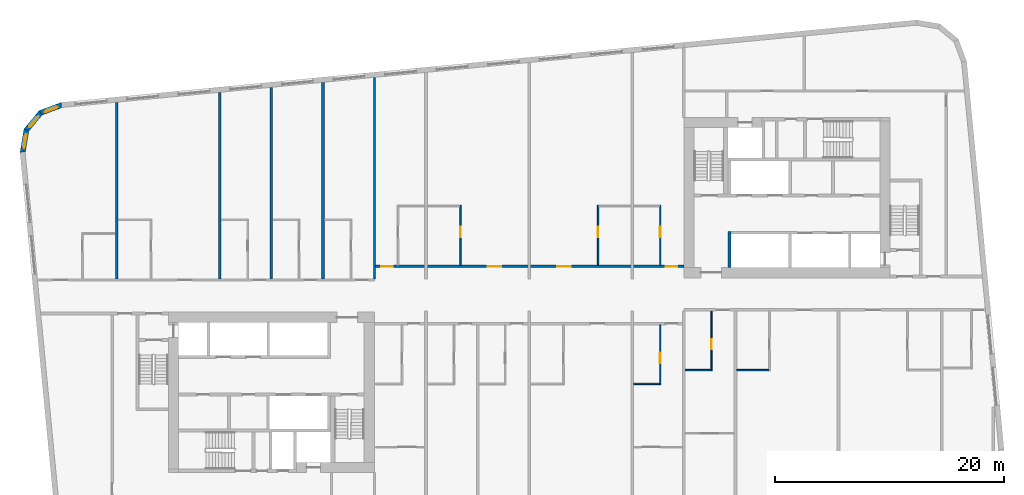
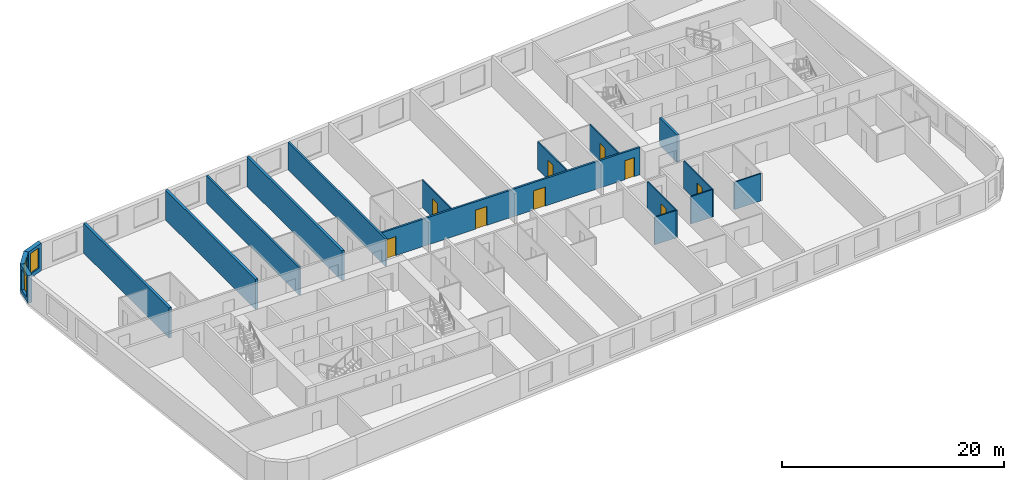
# One storey, part 5 of 12: 18 walls, 9 doors, 3 windows, 12 openings.
"""IFC4 building model written with IfcOpenShell, lengths in metres."""

from ifc_helpers import new_model, si_unit, direction, frame, frame_2d, origin, place, context, subcontext, project, spatial, polyline, rectangle, outline, extrude, material, layer, layer_set, type_object, element, fill, save


model = new_model("IFC4")

# Units and contexts
model_context = context("Model", 3, precision=1e-05, world=origin(), true_north=direction((0.0, 1.0)))
body_context = subcontext(model_context, "Body", "Model", "MODEL_VIEW")
ifc_project = project(units=[si_unit("LENGTHUNIT", "METRE"), si_unit("AREAUNIT", "SQUARE_METRE"), si_unit("VOLUMEUNIT", "CUBIC_METRE"), si_unit("PLANEANGLEUNIT", "RADIAN"), si_unit("MASSUNIT", "GRAM", prefix="KILO")], contexts=[model_context])

# Site, building, storey
site_placement = place(None, origin())
site = spatial("IfcSite", under=ifc_project, at=site_placement, CompositionType="ELEMENT")
building_placement = place(site_placement, origin())
building = spatial("IfcBuilding", under=site, at=building_placement, Name="Kajstack Hotel Tower", CompositionType="ELEMENT")
storey_placement = place(building_placement, frame((0.0, 0.0, 183.39990234375)))
storey = spatial("IfcBuildingStorey", under=building, at=storey_placement, Name="L43", CompositionType="ELEMENT", Elevation=183.39990234375)

# Wall, openings, doors
ifc_material_1 = material(Name="Gypsum board on steel studs, mineral wool", Category="steel")
ifc_layer_1 = layer(ifc_material_1, 0.199951171875)
ifc_layer_set_1 = layer_set([ifc_layer_1], Name="Corridor wall 200")
wall_type_1 = type_object("IfcWallType", Name="Corridor wall 200", PredefinedType="PARTITIONING", material=ifc_layer_set_1)
wall_1_placement = place(storey_placement, frame((-13.5, 2.5, 0.0), z_axis=(0.0, 0.0, 1.0), x_axis=(1.0, 0.0, 0.0)))
wall_1 = element("IfcWall", 1, at=wall_1_placement, inside=storey, type_object=wall_type_1, Name="G-wall-L43-004", PredefinedType="PARTITIONING", context=body_context, shape_type="SweptSolid", body=[
    extrude(rectangle(XDim=27.0, YDim=0.199951171875, at=frame_2d((13.5, 0.0))), origin(), (0.0, 0.0, 1.0), 3.02001953125),
])
opening_1_placement = place(wall_1_placement, frame((0.574951171875, 0.0, 0.0)))
opening_1 = element("IfcOpeningElement", 2, at=opening_1_placement, cuts=wall_1, Name="Opening 43011", PredefinedType="OPENING", context=body_context, shape_type="SweptSolid", body=[
    extrude(rectangle(XDim=1.0, YDim=2.10009765625, at=frame_2d((0.5, 1.050048828125))), frame((0.0, 0.10986328125, 0.0), z_axis=(0.0, -1.0, 0.0), x_axis=(1.0, 0.0, 0.0)), (0.0, 0.0, 1.0), 0.219970703125),
])
opening_2_placement = place(wall_1_placement, frame((9.863037109375, 0.0, 0.0)))
opening_2 = element("IfcOpeningElement", 3, at=opening_2_placement, cuts=wall_1, Name="Opening 43013", PredefinedType="OPENING", context=body_context, shape_type="SweptSolid", body=[
    extrude(rectangle(XDim=1.199951171875, YDim=2.10009765625, at=frame_2d((0.60009765625, 1.050048828125))), frame((0.0, 0.10986328125, 0.0), z_axis=(0.0, -1.0, 0.0), x_axis=(1.0, 0.0, 0.0)), (0.0, 0.0, 1.0), 0.219970703125),
])
opening_3_placement = place(wall_1_placement, frame((15.93798828125, 0.0, 0.0)))
opening_3 = element("IfcOpeningElement", 4, at=opening_3_placement, cuts=wall_1, Name="Opening 43015", PredefinedType="OPENING", context=body_context, shape_type="SweptSolid", body=[
    extrude(rectangle(XDim=1.199951171875, YDim=2.10009765625, at=frame_2d((0.60009765625, 1.050048828125))), frame((0.0, 0.10986328125, 0.0), z_axis=(0.0, -1.0, 0.0), x_axis=(1.0, 0.0, 0.0)), (0.0, 0.0, 1.0), 0.219970703125),
])
opening_4_placement = place(wall_1_placement, frame((25.425048828125, 0.0, 0.0)))
opening_4 = element("IfcOpeningElement", 5, at=opening_4_placement, cuts=wall_1, Name="Opening 43017", PredefinedType="OPENING", context=body_context, shape_type="SweptSolid", body=[
    extrude(rectangle(XDim=1.0, YDim=2.10009765625, at=frame_2d((0.5, 1.050048828125))), frame((0.0, 0.10986328125, 0.0), z_axis=(0.0, -1.0, 0.0), x_axis=(1.0, 0.0, 0.0)), (0.0, 0.0, 1.0), 0.219970703125),
])
ifc_material_2 = material(Name="Oak veneer on timber core, fire-rated leaf", Category="wood")
door_type_1 = type_object("IfcDoorType", Name="Flat entrance door 1000", OperationType="SINGLE_SWING_LEFT", PredefinedType="DOOR", material=ifc_material_2)
door_1_placement = place(opening_1_placement, origin())
door_1 = element("IfcDoor", 6, at=door_1_placement, inside=storey, type_object=door_type_1, Name="G-door-L43-11", OperationType="SINGLE_SWING_RIGHT", OverallHeight=2.10009765625, OverallWidth=1.0, PredefinedType="DOOR", context=body_context, shape_type="SweptSolid", body=[
    extrude(rectangle(XDim=1.0, YDim=2.10009765625, at=frame_2d((0.5, 1.050048828125))), frame((0.0, 0.02490234375, 0.0), z_axis=(0.0, -1.0, 0.0), x_axis=(1.0, 0.0, 0.0)), (0.0, 0.0, 1.0), 0.050048828125),
])
fill(opening_1, door_1)
door_2_placement = place(opening_4_placement, origin())
door_2 = element("IfcDoor", 7, at=door_2_placement, inside=storey, type_object=door_type_1, Name="G-door-L43-17", OperationType="SINGLE_SWING_RIGHT", OverallHeight=2.10009765625, OverallWidth=1.0, PredefinedType="DOOR", context=body_context, shape_type="SweptSolid", body=[
    extrude(rectangle(XDim=1.0, YDim=2.10009765625, at=frame_2d((0.5, 1.050048828125))), frame((0.0, 0.02490234375, 0.0), z_axis=(0.0, -1.0, 0.0), x_axis=(1.0, 0.0, 0.0)), (0.0, 0.0, 1.0), 0.050048828125),
])
fill(opening_4, door_2)
door_type_2 = type_object("IfcDoorType", Name="Flat entrance door 1200", OperationType="SINGLE_SWING_LEFT", PredefinedType="DOOR", material=ifc_material_2)
door_3_placement = place(opening_2_placement, origin())
door_3 = element("IfcDoor", 8, at=door_3_placement, inside=storey, type_object=door_type_2, Name="G-door-L43-13", OperationType="SINGLE_SWING_LEFT", OverallHeight=2.10009765625, OverallWidth=1.199951171875, PredefinedType="DOOR", context=body_context, shape_type="SweptSolid", body=[
    extrude(rectangle(XDim=1.199951171875, YDim=2.10009765625, at=frame_2d((0.60009765625, 1.050048828125))), frame((0.0, 0.02490234375, 0.0), z_axis=(0.0, -1.0, 0.0), x_axis=(1.0, 0.0, 0.0)), (0.0, 0.0, 1.0), 0.050048828125),
])
fill(opening_2, door_3)
door_4_placement = place(opening_3_placement, origin())
door_4 = element("IfcDoor", 9, at=door_4_placement, inside=storey, type_object=door_type_2, Name="G-door-L43-15", OperationType="SINGLE_SWING_RIGHT", OverallHeight=2.10009765625, OverallWidth=1.199951171875, PredefinedType="DOOR", context=body_context, shape_type="SweptSolid", body=[
    extrude(rectangle(XDim=1.199951171875, YDim=2.10009765625, at=frame_2d((0.60009765625, 1.050048828125))), frame((0.0, 0.02490234375, 0.0), z_axis=(0.0, -1.0, 0.0), x_axis=(1.0, 0.0, 0.0)), (0.0, 0.0, 1.0), 0.050048828125),
])
fill(opening_3, door_4)

# Walls
ifc_material_3 = material(Name="Twin-frame gypsum board on steel studs, mineral wool", Category="steel")
ifc_layer_2 = layer(ifc_material_3, 0.199951171875)
ifc_layer_set_2 = layer_set([ifc_layer_2], Name="Demising wall 200")
wall_type_2 = type_object("IfcWallType", Name="Demising wall 200", PredefinedType="PARTITIONING", material=ifc_layer_set_2)
wall_2_placement = place(storey_placement, frame((-22.5, 1.39990234375, 0.0), z_axis=(0.0, 0.0, 1.0), x_axis=(0.0, 1.0, 0.0)))
element("IfcWall", 10, at=wall_2_placement, inside=storey, type_object=wall_type_2, Name="G-wall-L43-009", PredefinedType="PARTITIONING", context=body_context, shape_type="SweptSolid", body=[
    extrude(rectangle(XDim=16.72314453125, YDim=0.199951171875, at=frame_2d((8.361572265625, 0.0))), origin(), (0.0, 0.0, 1.0), 3.02001953125),
])
wall_3_placement = place(storey_placement, frame((-13.5, 1.39990234375, 0.0), z_axis=(0.0, 0.0, 1.0), x_axis=(0.0, 1.0, 0.0)))
element("IfcWall", 11, at=wall_3_placement, inside=storey, type_object=wall_type_2, Name="G-wall-L43-014", PredefinedType="PARTITIONING", context=body_context, shape_type="SweptSolid", body=[
    extrude(rectangle(XDim=17.590087890625, YDim=0.199951171875, at=frame_2d((8.794921875, 0.0))), origin(), (0.0, 0.0, 1.0), 3.02001953125),
])

# Wall, opening, window
ifc_material_4 = material(Name="Terracotta-faced brick masonry", Category="masonry")
ifc_layer_3 = layer(ifc_material_4, 0.449951171875)
ifc_layer_set_3 = layer_set([ifc_layer_3], Name="EW-TERRA")
wall_type_3 = type_object("IfcWallType", Name="EW-TERRA", PredefinedType="SOLIDWALL", material=ifc_layer_set_3)
wall_4_placement = place(storey_placement, frame((-40.76123046875, 16.598388671875, 0.0), z_axis=(0.0, 0.0, 1.0), x_axis=(-0.936677599948, -0.350192909346, 0.0)))
wall_4 = element("IfcWall", 12, at=wall_4_placement, inside=storey, type_object=wall_type_3, Name="E-wall-L43-13-00", PredefinedType="SOLIDWALL", context=body_context, shape_type="SweptSolid", body=[
    extrude(outline(polyline([(0.0, -0.22509765625), (2.070556640625, -0.224853515625), (1.949951171875, 0.22509765625), (0.12060546875, 0.22509765625), (0.0, -0.22509765625)])), origin(), (0.0, 0.0, 1.0), 3.02001953125),
])
opening_5_placement = place(wall_4_placement, frame((0.435302734375, 0.0, 0.449951171875)))
opening_5 = element("IfcOpeningElement", 13, at=opening_5_placement, cuts=wall_4, Name="Opening W3", PredefinedType="OPENING", context=body_context, shape_type="SweptSolid", body=[
    extrude(rectangle(XDim=1.199951171875, YDim=2.25, at=frame_2d((0.60009765625, 1.125))), frame((0.0, 0.23486328125, 0.0), z_axis=(0.0, -1.0, 0.0), x_axis=(1.0, 0.0, 0.0)), (0.0, 0.0, 1.0), 0.469970703125),
])
ifc_material_5 = material(Name="Timber-aluminium window, triple glazed", Category="wood")
window_type = type_object("IfcWindowType", Name="WG3", PartitioningType="SINGLE_PANEL", PredefinedType="WINDOW", material=ifc_material_5)
window_1_placement = place(opening_5_placement, origin())
window_1 = element("IfcWindow", 14, at=window_1_placement, inside=storey, type_object=window_type, Name="Window W3 L43-13", OverallHeight=2.25, OverallWidth=1.199951171875, PartitioningType="SINGLE_PANEL", PredefinedType="WINDOW", context=body_context, shape_type="SweptSolid", body=[
    extrude(rectangle(XDim=1.199951171875, YDim=2.25, at=frame_2d((0.60009765625, 1.125))), frame((0.0, 0.090087890625, 0.0), z_axis=(0.0, -1.0, 0.0), x_axis=(1.0, 0.0, 0.0)), (0.0, 0.0, 1.0), 0.06005859375),
])
fill(opening_5, window_1)

wall_5_placement = place(storey_placement, frame((-42.60595703125, 15.94091796875, 0.0), z_axis=(0.0, 0.0, 1.0), x_axis=(-0.636116318187, -0.771593176315, 0.0)))
wall_5 = element("IfcWall", 15, at=wall_5_placement, inside=storey, type_object=wall_type_3, Name="E-wall-L43-14-00", PredefinedType="SOLIDWALL", context=body_context, shape_type="SweptSolid", body=[
    extrude(outline(polyline([(0.0, -0.224853515625), (2.070556640625, -0.224853515625), (1.949951171875, 0.22509765625), (0.12060546875, 0.22509765625), (0.0, -0.224853515625)])), origin(), (0.0, 0.0, 1.0), 3.02001953125),
])
opening_6_placement = place(wall_5_placement, frame((0.435302734375, 0.0, 0.449951171875)))
opening_6 = element("IfcOpeningElement", 16, at=opening_6_placement, cuts=wall_5, Name="Opening W3", PredefinedType="OPENING", context=body_context, shape_type="SweptSolid", body=[
    extrude(rectangle(XDim=1.199951171875, YDim=2.25, at=frame_2d((0.60009765625, 1.125))), frame((0.0, 0.23486328125, 0.0), z_axis=(0.0, -1.0, 0.0), x_axis=(1.0, 0.0, 0.0)), (0.0, 0.0, 1.0), 0.469970703125),
])
window_2_placement = place(opening_6_placement, origin())
window_2 = element("IfcWindow", 17, at=window_2_placement, inside=storey, type_object=window_type, Name="Window W3 L43-14", OverallHeight=2.25, OverallWidth=1.199951171875, PartitioningType="SINGLE_PANEL", PredefinedType="WINDOW", context=body_context, shape_type="SweptSolid", body=[
    extrude(rectangle(XDim=1.199951171875, YDim=2.25, at=frame_2d((0.60009765625, 1.125))), frame((0.0, 0.090087890625, 0.0), z_axis=(0.0, -1.0, 0.0), x_axis=(1.0, 0.0, 0.0)), (0.0, 0.0, 1.0), 0.06005859375),
])
fill(opening_6, window_2)

wall_6_placement = place(storey_placement, frame((-43.874755859375, 14.44921875, 0.0), z_axis=(0.0, 0.0, 1.0), x_axis=(-0.164953448126, -0.986301353518, 0.0)))
wall_6 = element("IfcWall", 18, at=wall_6_placement, inside=storey, type_object=wall_type_3, Name="E-wall-L43-15-00", PredefinedType="SOLIDWALL", context=body_context, shape_type="SweptSolid", body=[
    extrude(outline(polyline([(0.0, -0.224853515625), (2.070556640625, -0.22509765625), (1.9501953125, 0.224853515625), (0.12060546875, 0.22509765625), (0.0, -0.224853515625)])), origin(), (0.0, 0.0, 1.0), 3.02001953125),
])
opening_7_placement = place(wall_6_placement, frame((0.435302734375, 0.0, 0.449951171875)))
opening_7 = element("IfcOpeningElement", 19, at=opening_7_placement, cuts=wall_6, Name="Opening W3", PredefinedType="OPENING", context=body_context, shape_type="SweptSolid", body=[
    extrude(rectangle(XDim=1.199951171875, YDim=2.25, at=frame_2d((0.60009765625, 1.125))), frame((0.0, 0.23486328125, 0.0), z_axis=(0.0, -1.0, 0.0), x_axis=(1.0, 0.0, 0.0)), (0.0, 0.0, 1.0), 0.469970703125),
])
window_3_placement = place(opening_7_placement, origin())
window_3 = element("IfcWindow", 20, at=window_3_placement, inside=storey, type_object=window_type, Name="Window W3 L43-15", OverallHeight=2.25, OverallWidth=1.199951171875, PartitioningType="SINGLE_PANEL", PredefinedType="WINDOW", context=body_context, shape_type="SweptSolid", body=[
    extrude(rectangle(XDim=1.199951171875, YDim=2.25, at=frame_2d((0.60009765625, 1.125))), frame((0.0, 0.090087890625, 0.0), z_axis=(0.0, -1.0, 0.0), x_axis=(1.0, 0.0, 0.0)), (0.0, 0.0, 1.0), 0.06005859375),
])
fill(opening_7, window_3)

# Wall, opening, door
ifc_material_6 = material(Name="Gypsum board and tiled backer on steel studs", Category="steel")
ifc_layer_4 = layer(ifc_material_6, 0.125)
ifc_layer_set_4 = layer_set([ifc_layer_4], Name="En-suite wall 125")
wall_type_4 = type_object("IfcWallType", Name="En-suite wall 125", PredefinedType="PARTITIONING", material=ifc_layer_set_4)
wall_7_placement = place(storey_placement, frame((-6.012939453125, 2.60009765625, 0.0), z_axis=(0.0, 0.0, 1.0), x_axis=(0.0, 1.0, 0.0)))
wall_7 = element("IfcWall", 21, at=wall_7_placement, inside=storey, type_object=wall_type_4, Name="G-wall-L43-019", PredefinedType="PARTITIONING", context=body_context, shape_type="SweptSolid", body=[
    extrude(rectangle(XDim=5.224853515625, YDim=0.125, at=frame_2d((2.6123046875, 0.0))), origin(), (0.0, 0.0, 1.0), 3.02001953125),
])
opening_8_placement = place(wall_7_placement, frame((2.449951171875, 0.0, 0.0)))
opening_8 = element("IfcOpeningElement", 22, at=opening_8_placement, cuts=wall_7, Name="Opening 43014", PredefinedType="OPENING", context=body_context, shape_type="SweptSolid", body=[
    extrude(rectangle(XDim=0.89990234375, YDim=2.10009765625, at=frame_2d((0.449951171875, 1.050048828125))), frame((0.0, 0.072509765625, 0.0), z_axis=(0.0, -1.0, 0.0), x_axis=(1.0, 0.0, 0.0)), (0.0, 0.0, 1.0), 0.14501953125),
])
ifc_material_7 = material(Name="Painted timber door leaf", Category="wood")
door_type_3 = type_object("IfcDoorType", Name="Room door 900", OperationType="SINGLE_SWING_LEFT", PredefinedType="DOOR", material=ifc_material_7)
door_5_placement = place(opening_8_placement, origin())
door_5 = element("IfcDoor", 23, at=door_5_placement, inside=storey, type_object=door_type_3, Name="G-door-L43-14", OperationType="SINGLE_SWING_LEFT", OverallHeight=2.10009765625, OverallWidth=0.89990234375, PredefinedType="DOOR", context=body_context, shape_type="SweptSolid", body=[
    extrude(rectangle(XDim=0.89990234375, YDim=2.10009765625, at=frame_2d((0.449951171875, 1.050048828125))), frame((0.0, 0.02490234375, 0.0), z_axis=(0.0, -1.0, 0.0), x_axis=(1.0, 0.0, 0.0)), (0.0, 0.0, 1.0), 0.050048828125),
])
fill(opening_8, door_5)

wall_8_placement = place(storey_placement, frame((6.012939453125, 2.60009765625, 0.0), z_axis=(0.0, 0.0, 1.0), x_axis=(0.0, 1.0, 0.0)))
wall_8 = element("IfcWall", 24, at=wall_8_placement, inside=storey, type_object=wall_type_4, Name="G-wall-L43-021", PredefinedType="PARTITIONING", context=body_context, shape_type="SweptSolid", body=[
    extrude(rectangle(XDim=5.224853515625, YDim=0.125, at=frame_2d((2.6123046875, 0.0))), origin(), (0.0, 0.0, 1.0), 3.02001953125),
])
opening_9_placement = place(wall_8_placement, frame((2.449951171875, 0.0, 0.0)))
opening_9 = element("IfcOpeningElement", 25, at=opening_9_placement, cuts=wall_8, Name="Opening 43016", PredefinedType="OPENING", context=body_context, shape_type="SweptSolid", body=[
    extrude(rectangle(XDim=0.89990234375, YDim=2.10009765625, at=frame_2d((0.449951171875, 1.050048828125))), frame((0.0, 0.072509765625, 0.0), z_axis=(0.0, -1.0, 0.0), x_axis=(1.0, 0.0, 0.0)), (0.0, 0.0, 1.0), 0.14501953125),
])
door_6_placement = place(opening_9_placement, origin())
door_6 = element("IfcDoor", 26, at=door_6_placement, inside=storey, type_object=door_type_3, Name="G-door-L43-16", OperationType="SINGLE_SWING_RIGHT", OverallHeight=2.10009765625, OverallWidth=0.89990234375, PredefinedType="DOOR", context=body_context, shape_type="SweptSolid", body=[
    extrude(rectangle(XDim=0.89990234375, YDim=2.10009765625, at=frame_2d((0.449951171875, 1.050048828125))), frame((0.0, 0.02490234375, 0.0), z_axis=(0.0, -1.0, 0.0), x_axis=(1.0, 0.0, 0.0)), (0.0, 0.0, 1.0), 0.050048828125),
])
fill(opening_9, door_6)

wall_9_placement = place(storey_placement, frame((11.43798828125, 2.60009765625, 0.0), z_axis=(0.0, 0.0, 1.0), x_axis=(0.0, 1.0, 0.0)))
wall_9 = element("IfcWall", 27, at=wall_9_placement, inside=storey, type_object=wall_type_4, Name="G-wall-L43-023", PredefinedType="PARTITIONING", context=body_context, shape_type="SweptSolid", body=[
    extrude(rectangle(XDim=5.224853515625, YDim=0.125, at=frame_2d((2.6123046875, 0.0))), origin(), (0.0, 0.0, 1.0), 3.02001953125),
])
opening_10_placement = place(wall_9_placement, frame((2.449951171875, 0.0, 0.0)))
opening_10 = element("IfcOpeningElement", 28, at=opening_10_placement, cuts=wall_9, Name="Opening 43018", PredefinedType="OPENING", context=body_context, shape_type="SweptSolid", body=[
    extrude(rectangle(XDim=0.89990234375, YDim=2.10009765625, at=frame_2d((0.449951171875, 1.050048828125))), frame((0.0, 0.072509765625, 0.0), z_axis=(0.0, -1.0, 0.0), x_axis=(1.0, 0.0, 0.0)), (0.0, 0.0, 1.0), 0.14501953125),
])
door_7_placement = place(opening_10_placement, origin())
door_7 = element("IfcDoor", 29, at=door_7_placement, inside=storey, type_object=door_type_3, Name="G-door-L43-18", OperationType="SINGLE_SWING_LEFT", OverallHeight=2.10009765625, OverallWidth=0.89990234375, PredefinedType="DOOR", context=body_context, shape_type="SweptSolid", body=[
    extrude(rectangle(XDim=0.89990234375, YDim=2.10009765625, at=frame_2d((0.449951171875, 1.050048828125))), frame((0.0, 0.02490234375, 0.0), z_axis=(0.0, -1.0, 0.0), x_axis=(1.0, 0.0, 0.0)), (0.0, 0.0, 1.0), 0.050048828125),
])
fill(opening_10, door_7)

wall_10_placement = place(storey_placement, frame((11.43798828125, -7.824951171875, 0.0), z_axis=(0.0, 0.0, 1.0), x_axis=(0.0, 1.0, 0.0)))
wall_10 = element("IfcWall", 30, at=wall_10_placement, inside=storey, type_object=wall_type_4, Name="G-wall-L43-038", PredefinedType="PARTITIONING", context=body_context, shape_type="SweptSolid", body=[
    extrude(rectangle(XDim=5.224853515625, YDim=0.125, at=frame_2d((2.6123046875, 0.0))), origin(), (0.0, 0.0, 1.0), 3.02001953125),
])
opening_11_placement = place(wall_10_placement, frame((1.875, 0.0, 0.0)))
opening_11 = element("IfcOpeningElement", 31, at=opening_11_placement, cuts=wall_10, Name="Opening 43029", PredefinedType="OPENING", context=body_context, shape_type="SweptSolid", body=[
    extrude(rectangle(XDim=0.89990234375, YDim=2.10009765625, at=frame_2d((0.449951171875, 1.050048828125))), frame((0.0, 0.072509765625, 0.0), z_axis=(0.0, -1.0, 0.0), x_axis=(1.0, 0.0, 0.0)), (0.0, 0.0, 1.0), 0.14501953125),
])
door_8_placement = place(opening_11_placement, origin())
door_8 = element("IfcDoor", 32, at=door_8_placement, inside=storey, type_object=door_type_3, Name="G-door-L43-29", OperationType="SINGLE_SWING_LEFT", OverallHeight=2.10009765625, OverallWidth=0.89990234375, PredefinedType="DOOR", context=body_context, shape_type="SweptSolid", body=[
    extrude(rectangle(XDim=0.89990234375, YDim=2.10009765625, at=frame_2d((0.449951171875, 1.050048828125))), frame((0.0, 0.02490234375, 0.0), z_axis=(0.0, -1.0, 0.0), x_axis=(1.0, 0.0, 0.0)), (0.0, 0.0, 1.0), 0.050048828125),
])
fill(opening_11, door_8)

# Wall
wall_11_placement = place(storey_placement, frame((9.125, -7.761962890625, 0.0), z_axis=(0.0, 0.0, 1.0), x_axis=(1.0, 0.0, 0.0)))
element("IfcWall", 33, at=wall_11_placement, inside=storey, type_object=wall_type_4, Name="G-wall-L43-039", PredefinedType="PARTITIONING", context=body_context, shape_type="SweptSolid", body=[
    extrude(rectangle(XDim=2.25, YDim=0.125, at=frame_2d((1.125, 0.0))), origin(), (0.0, 0.0, 1.0), 3.02001953125),
])

# Wall, opening, door
wall_12_placement = place(storey_placement, frame((15.912109375, -6.625, 0.0), z_axis=(0.0, 0.0, 1.0), x_axis=(0.0, 1.0, 0.0)))
wall_12 = element("IfcWall", 34, at=wall_12_placement, inside=storey, type_object=wall_type_4, Name="G-wall-L43-041", PredefinedType="PARTITIONING", context=body_context, shape_type="SweptSolid", body=[
    extrude(rectangle(XDim=5.22509765625, YDim=0.125, at=frame_2d((2.612548828125, 0.0))), origin(), (0.0, 0.0, 1.0), 3.02001953125),
])
opening_12_placement = place(wall_12_placement, frame((1.875, 0.0, 0.0)))
opening_12 = element("IfcOpeningElement", 35, at=opening_12_placement, cuts=wall_12, Name="Opening 43032", PredefinedType="OPENING", context=body_context, shape_type="SweptSolid", body=[
    extrude(rectangle(XDim=0.89990234375, YDim=2.10009765625, at=frame_2d((0.449951171875, 1.050048828125))), frame((0.0, 0.072509765625, 0.0), z_axis=(0.0, -1.0, 0.0), x_axis=(1.0, 0.0, 0.0)), (0.0, 0.0, 1.0), 0.14501953125),
])
door_9_placement = place(opening_12_placement, origin())
door_9 = element("IfcDoor", 36, at=door_9_placement, inside=storey, type_object=door_type_3, Name="G-door-L43-32", OperationType="SINGLE_SWING_RIGHT", OverallHeight=2.10009765625, OverallWidth=0.89990234375, PredefinedType="DOOR", context=body_context, shape_type="SweptSolid", body=[
    extrude(rectangle(XDim=0.89990234375, YDim=2.10009765625, at=frame_2d((0.449951171875, 1.050048828125))), frame((0.0, 0.02490234375, 0.0), z_axis=(0.0, -1.0, 0.0), x_axis=(1.0, 0.0, 0.0)), (0.0, 0.0, 1.0), 0.050048828125),
])
fill(opening_12, door_9)

# Walls
wall_13_placement = place(storey_placement, frame((13.60009765625, -6.56201171875, 0.0), z_axis=(0.0, 0.0, 1.0), x_axis=(1.0, 0.0, 0.0)))
element("IfcWall", 37, at=wall_13_placement, inside=storey, type_object=wall_type_4, Name="G-wall-L43-042", PredefinedType="PARTITIONING", context=body_context, shape_type="SweptSolid", body=[
    extrude(rectangle(XDim=2.25, YDim=0.125, at=frame_2d((1.125, 0.0))), origin(), (0.0, 0.0, 1.0), 3.02001953125),
])
wall_14_placement = place(storey_placement, frame((18.125, -6.56201171875, 0.0), z_axis=(0.0, 0.0, 1.0), x_axis=(1.0, 0.0, 0.0)))
element("IfcWall", 38, at=wall_14_placement, inside=storey, type_object=wall_type_4, Name="G-wall-L43-045", PredefinedType="PARTITIONING", context=body_context, shape_type="SweptSolid", body=[
    extrude(rectangle(XDim=2.800048828125, YDim=0.125, at=frame_2d((1.39990234375, 0.0))), origin(), (0.0, 0.0, 1.0), 3.02001953125),
])
ifc_material_8 = material(Name="Concrete C50/60", Category="concrete")
ifc_layer_5 = layer(ifc_material_8, 0.25)
ifc_layer_set_5 = layer_set([ifc_layer_5], Name="RC cross wall 250 C50/60")
wall_type_5 = type_object("IfcWallType", Name="RC cross wall 250 C50/60", PredefinedType="SHEAR", material=ifc_layer_set_5)
wall_15_placement = place(storey_placement, frame((-36.0, 1.39990234375, 0.0), z_axis=(0.0, 0.0, 1.0), x_axis=(0.0, 1.0, 0.0)))
element("IfcWall", 39, at=wall_15_placement, inside=storey, type_object=wall_type_5, Name="S-wall-L43-01", PredefinedType="SHEAR", context=body_context, shape_type="SweptSolid", body=[
    extrude(rectangle(XDim=15.401123046875, YDim=0.25, at=frame_2d((7.70068359375, 0.0))), origin(), (0.0, 0.0, 1.0), 3.300048828125),
])
wall_16_placement = place(storey_placement, frame((-27.0, 1.39990234375, 0.0), z_axis=(0.0, 0.0, 1.0), x_axis=(0.0, 1.0, 0.0)))
element("IfcWall", 40, at=wall_16_placement, inside=storey, type_object=wall_type_5, Name="S-wall-L43-02", PredefinedType="SHEAR", context=body_context, shape_type="SweptSolid", body=[
    extrude(rectangle(XDim=16.267578125, YDim=0.25, at=frame_2d((8.1337890625, 0.0))), origin(), (0.0, 0.0, 1.0), 3.300048828125),
])
wall_17_placement = place(storey_placement, frame((-18.0, 1.39990234375, 0.0), z_axis=(0.0, 0.0, 1.0), x_axis=(0.0, 1.0, 0.0)))
element("IfcWall", 41, at=wall_17_placement, inside=storey, type_object=wall_type_5, Name="S-wall-L43-03", PredefinedType="SHEAR", context=body_context, shape_type="SweptSolid", body=[
    extrude(rectangle(XDim=17.13427734375, YDim=0.25, at=frame_2d((8.567138671875, 0.0))), origin(), (0.0, 0.0, 1.0), 3.300048828125),
])
ifc_layer_6 = layer(ifc_material_8, 0.25)
ifc_layer_set_6 = layer_set([ifc_layer_6], Name="Shaft wall 250")
wall_type_6 = type_object("IfcWallType", Name="Shaft wall 250", PredefinedType="SHEAR", material=ifc_layer_set_6)
wall_18_placement = place(storey_placement, frame((17.47509765625, 2.39990234375, 0.0), z_axis=(0.0, 0.0, 1.0), x_axis=(0.0, 1.0, 0.0)))
element("IfcWall", 42, at=wall_18_placement, inside=storey, type_object=wall_type_6, Name="Core wall E AE", PredefinedType="SHEAR", context=body_context, shape_type="SweptSolid", body=[
    extrude(rectangle(XDim=3.150146484375, YDim=0.25, at=frame_2d((1.5751953125, 0.0))), origin(), (0.0, 0.0, 1.0), 3.02001953125),
])

save(model, "model.ifc")
